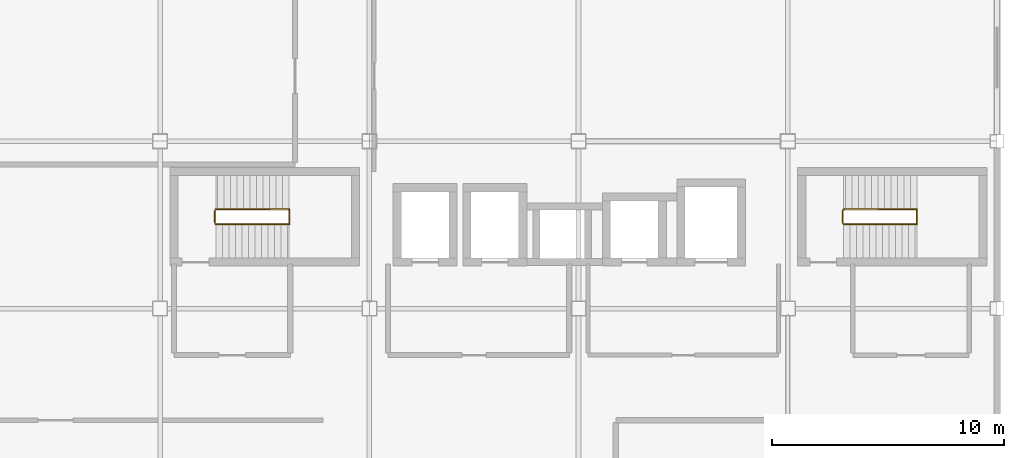
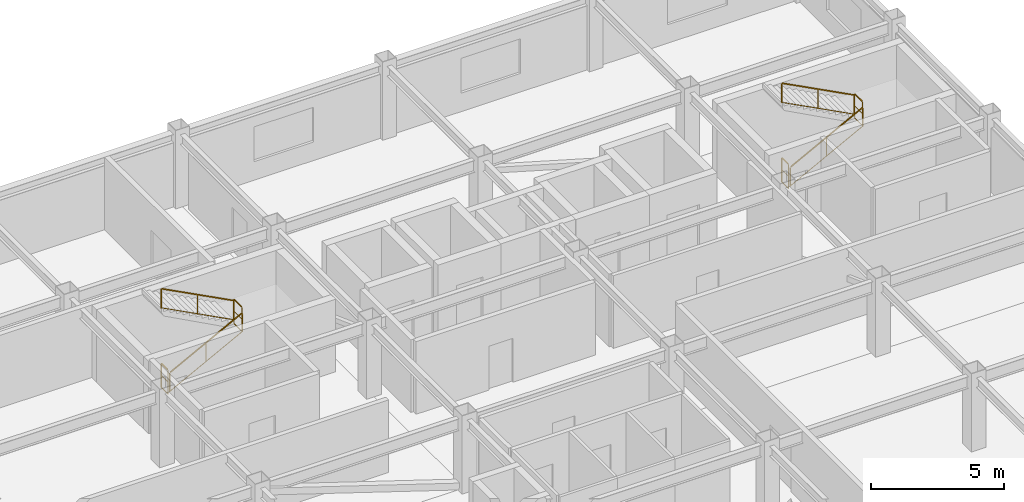
# One storey, part 34 of 34: 8 railings.
"""IFC4 building model written with IfcOpenShell, lengths in metres."""

from ifc_helpers import new_model, si_unit, direction, frame, origin, origin_2d, place, context, subcontext, project, spatial, rectangle, extrude, material, type_object, element, save


model = new_model("IFC4")

# Units and contexts
model_context = context("Model", 3, precision=1e-05, world=origin(), true_north=direction((0.0, 1.0)))
body_context = subcontext(model_context, "Body", "Model", "MODEL_VIEW")
ifc_project = project(units=[si_unit("LENGTHUNIT", "METRE"), si_unit("AREAUNIT", "SQUARE_METRE"), si_unit("VOLUMEUNIT", "CUBIC_METRE"), si_unit("PLANEANGLEUNIT", "RADIAN"), si_unit("MASSUNIT", "GRAM", prefix="KILO")], contexts=[model_context])

# Site, building, storey
site_placement = place(None, origin())
site = spatial("IfcSite", under=ifc_project, at=site_placement, CompositionType="ELEMENT")
building_placement = place(site_placement, origin())
building = spatial("IfcBuilding", under=site, at=building_placement, Name="Kazanami Central Library", CompositionType="ELEMENT")
storey_placement = place(building_placement, frame((0.0, 0.0, 17.0)))
storey = spatial("IfcBuildingStorey", under=building, at=storey_placement, Name="L05", CompositionType="ELEMENT", Elevation=17.0)

# Railings
ifc_material = material(Name="Stainless Steel SUS304", Category="steel")
railing_type_1 = type_object("IfcRailingType", Name="RAL-GR-S1", PredefinedType="GUARDRAIL", material=ifc_material)
railing_1_placement = place(storey_placement, frame((128.360107421875, 82.89501953125, 0.0)))
element("IfcRailing", 1, at=railing_1_placement, inside=storey, type_object=railing_type_1, Name="Stair Well Guard ST-01 L05", PredefinedType="GUARDRAIL", context=body_context, shape_type="SweptSolid", body=[
    extrude(rectangle(XDim=0.0439453125, YDim=0.0439453125, at=origin_2d()), frame((0.0, 0.02587890625, 1.1279296875), z_axis=(0.0, 1.0, 0.0), x_axis=(-1.0, 0.0, 0.0)), (0.0, 0.0, 1.0), 0.4580078125),
    extrude(rectangle(XDim=0.02392578125, YDim=0.02392578125, at=origin_2d()), frame((0.0, 0.02587890625, 0.015869140625), z_axis=(0.0, 1.0, 0.0), x_axis=(-1.0, 0.0, 0.0)), (0.0, 0.0, 1.0), 0.4580078125),
    extrude(rectangle(XDim=0.02392578125, YDim=0.02392578125, at=origin_2d()), frame((0.0, 0.02587890625, 0.574951171875), z_axis=(0.0, 1.0, 0.0), x_axis=(-1.0, 0.0, 0.0)), (0.0, 0.0, 1.0), 0.4580078125),
    extrude(rectangle(XDim=0.035888671875, YDim=0.035888671875, at=origin_2d()), origin(), (0.0, 0.0, 1.0), 1.10205078125),
    extrude(rectangle(XDim=0.035888671875, YDim=0.035888671875, at=origin_2d()), frame((0.0, 0.510009765625, 0.0)), (0.0, 0.0, 1.0), 1.10205078125),
])
railing_2_placement = place(storey_placement, frame((131.548095703125, 82.844970703125, 1.800048828125)))
element("IfcRailing", 2, at=railing_2_placement, inside=storey, type_object=railing_type_1, Name="Half-Landing Well Guard ST-01 L05", PredefinedType="GUARDRAIL", context=body_context, shape_type="SweptSolid", body=[
    extrude(rectangle(XDim=0.0439453125, YDim=0.0439453125, at=origin_2d()), frame((0.0, 0.02587890625, 1.1279296875), z_axis=(0.0, 1.0, 0.0), x_axis=(-1.0, 0.0, 0.0)), (0.0, 0.0, 1.0), 0.55810546875),
    extrude(rectangle(XDim=0.02392578125, YDim=0.02392578125, at=origin_2d()), frame((0.0, 0.02587890625, 0.015869140625), z_axis=(0.0, 1.0, 0.0), x_axis=(-1.0, 0.0, 0.0)), (0.0, 0.0, 1.0), 0.55810546875),
    extrude(rectangle(XDim=0.02392578125, YDim=0.02392578125, at=origin_2d()), frame((0.0, 0.02587890625, 0.574951171875), z_axis=(0.0, 1.0, 0.0), x_axis=(-1.0, 0.0, 0.0)), (0.0, 0.0, 1.0), 0.55810546875),
    extrude(rectangle(XDim=0.035888671875, YDim=0.035888671875, at=origin_2d()), origin(), (0.0, 0.0, 1.0), 1.10205078125),
    extrude(rectangle(XDim=0.035888671875, YDim=0.035888671875, at=origin_2d()), frame((0.0, 0.610107421875, 0.0)), (0.0, 0.0, 1.0), 1.10205078125),
])
railing_3_placement = place(storey_placement, frame((155.360107421875, 82.89501953125, 0.0)))
element("IfcRailing", 3, at=railing_3_placement, inside=storey, type_object=railing_type_1, Name="Stair Well Guard ST-02 L05", PredefinedType="GUARDRAIL", context=body_context, shape_type="SweptSolid", body=[
    extrude(rectangle(XDim=0.0439453125, YDim=0.0439453125, at=origin_2d()), frame((0.0, 0.02587890625, 1.1279296875), z_axis=(0.0, 1.0, 0.0), x_axis=(-1.0, 0.0, 0.0)), (0.0, 0.0, 1.0), 0.4580078125),
    extrude(rectangle(XDim=0.02392578125, YDim=0.02392578125, at=origin_2d()), frame((0.0, 0.02587890625, 0.015869140625), z_axis=(0.0, 1.0, 0.0), x_axis=(-1.0, 0.0, 0.0)), (0.0, 0.0, 1.0), 0.4580078125),
    extrude(rectangle(XDim=0.02392578125, YDim=0.02392578125, at=origin_2d()), frame((0.0, 0.02587890625, 0.574951171875), z_axis=(0.0, 1.0, 0.0), x_axis=(-1.0, 0.0, 0.0)), (0.0, 0.0, 1.0), 0.4580078125),
    extrude(rectangle(XDim=0.035888671875, YDim=0.035888671875, at=origin_2d()), origin(), (0.0, 0.0, 1.0), 1.10205078125),
    extrude(rectangle(XDim=0.035888671875, YDim=0.035888671875, at=origin_2d()), frame((0.0, 0.510009765625, 0.0)), (0.0, 0.0, 1.0), 1.10205078125),
])
railing_4_placement = place(storey_placement, frame((158.548095703125, 82.844970703125, 1.800048828125)))
element("IfcRailing", 4, at=railing_4_placement, inside=storey, type_object=railing_type_1, Name="Half-Landing Well Guard ST-02 L05", PredefinedType="GUARDRAIL", context=body_context, shape_type="SweptSolid", body=[
    extrude(rectangle(XDim=0.0439453125, YDim=0.0439453125, at=origin_2d()), frame((0.0, 0.02587890625, 1.1279296875), z_axis=(0.0, 1.0, 0.0), x_axis=(-1.0, 0.0, 0.0)), (0.0, 0.0, 1.0), 0.55810546875),
    extrude(rectangle(XDim=0.02392578125, YDim=0.02392578125, at=origin_2d()), frame((0.0, 0.02587890625, 0.015869140625), z_axis=(0.0, 1.0, 0.0), x_axis=(-1.0, 0.0, 0.0)), (0.0, 0.0, 1.0), 0.55810546875),
    extrude(rectangle(XDim=0.02392578125, YDim=0.02392578125, at=origin_2d()), frame((0.0, 0.02587890625, 0.574951171875), z_axis=(0.0, 1.0, 0.0), x_axis=(-1.0, 0.0, 0.0)), (0.0, 0.0, 1.0), 0.55810546875),
    extrude(rectangle(XDim=0.035888671875, YDim=0.035888671875, at=origin_2d()), origin(), (0.0, 0.0, 1.0), 1.10205078125),
    extrude(rectangle(XDim=0.035888671875, YDim=0.035888671875, at=origin_2d()), frame((0.0, 0.610107421875, 0.0)), (0.0, 0.0, 1.0), 1.10205078125),
])
railing_type_2 = type_object("IfcRailingType", Name="RAL-HR-01", PredefinedType="HANDRAIL", material=ifc_material)
for number, where, name in (
    (5, (128.39404296875, 82.824951171875, 0.14990234375), "Stair Handrail ST-01 Flight 1 (L05)"),
    (6, (155.39404296875, 82.824951171875, 0.14990234375), "Stair Handrail ST-02 Flight 1 (L05)"),
):
    element("IfcRailing", number, at=place(storey_placement, frame(where)), inside=storey, type_object=railing_type_2, Name=name, PredefinedType="HANDRAIL", context=body_context, shape_type="SweptSolid", body=[
        extrude(rectangle(XDim=0.0439453125, YDim=0.0439453125, at=origin_2d()), frame((0.02294921875, 0.0, 0.889892578125), z_axis=(0.886059640598, 0.0, 0.463571260222), x_axis=(0.0, 1.0, 0.0)), (0.0, 0.0, 1.0), 3.507568359375),
        extrude(rectangle(XDim=0.02392578125, YDim=0.02392578125, at=origin_2d()), frame((0.02294921875, 0.0, 0.028076171875), z_axis=(0.886059640598, 0.0, 0.463571260222), x_axis=(0.0, 1.0, 0.0)), (0.0, 0.0, 1.0), 3.507568359375),
        extrude(rectangle(XDim=0.035888671875, YDim=0.035888671875, at=origin_2d()), origin(), (0.0, 0.0, 1.0), 0.85205078125),
        extrude(rectangle(XDim=0.035888671875, YDim=0.035888671875, at=origin_2d()), frame((1.5771484375, 0.0, 0.8251953125)), (0.0, 0.0, 1.0), 0.85205078125),
        extrude(rectangle(XDim=0.035888671875, YDim=0.035888671875, at=origin_2d()), frame((3.154052734375, 0.0, 1.650146484375)), (0.0, 0.0, 1.0), 0.85205078125),
    ])
railing_type_3 = type_object("IfcRailingType", Name="RAL-HR-02", PredefinedType="HANDRAIL", material=ifc_material)
for number, where, name in (
    (7, (131.553955078125, 83.47509765625, 1.949951171875), "Stair Handrail ST-01 Flight 2 (L05)"),
    (8, (158.553955078125, 83.47509765625, 1.949951171875), "Stair Handrail ST-02 Flight 2 (L05)"),
):
    element("IfcRailing", number, at=place(storey_placement, frame(where)), inside=storey, type_object=railing_type_3, Name=name, PredefinedType="HANDRAIL", context=body_context, shape_type="SweptSolid", body=[
        extrude(rectangle(XDim=0.0439453125, YDim=0.0439453125, at=origin_2d()), frame((-0.02294921875, 0.0, 0.909912109375), z_axis=(-0.886059640598, 0.0, 0.463571260222), x_axis=(0.0, -1.0, 0.0)), (0.0, 0.0, 1.0), 3.507568359375),
        extrude(rectangle(XDim=0.02392578125, YDim=0.02392578125, at=origin_2d()), frame((-0.02294921875, 0.0, 0.028076171875), z_axis=(-0.886059640598, 0.0, 0.463571260222), x_axis=(0.0, -1.0, 0.0)), (0.0, 0.0, 1.0), 3.507568359375),
        extrude(rectangle(XDim=0.035888671875, YDim=0.035888671875, at=origin_2d()), origin(), (0.0, 0.0, 1.0), 0.8720703125),
        extrude(rectangle(XDim=0.035888671875, YDim=0.035888671875, at=origin_2d()), frame((-1.5771484375, 0.0, 0.8251953125)), (0.0, 0.0, 1.0), 0.8720703125),
        extrude(rectangle(XDim=0.035888671875, YDim=0.035888671875, at=origin_2d()), frame((-3.154052734375, 0.0, 1.650146484375)), (0.0, 0.0, 1.0), 0.8720703125),
    ])

save(model, "model.ifc")
